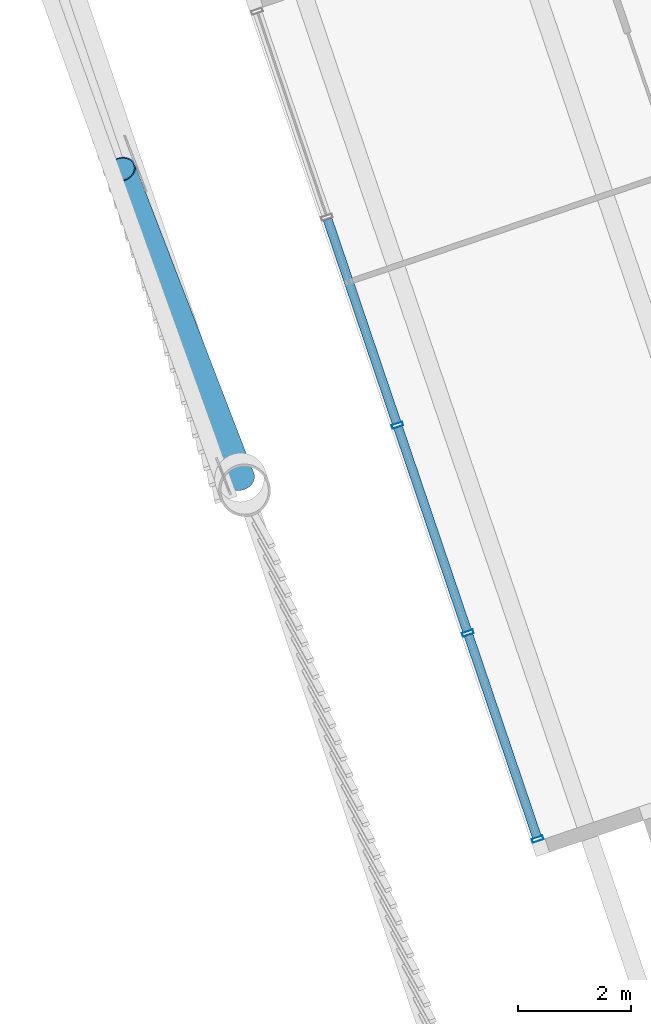
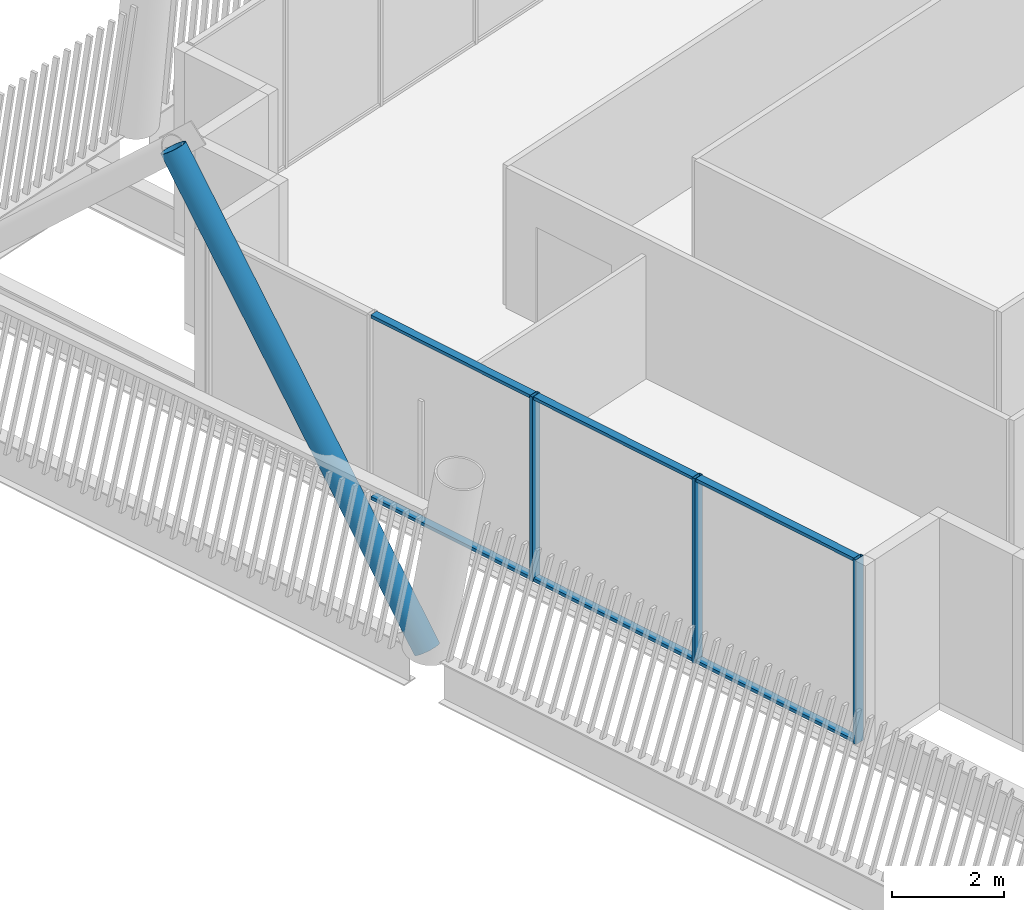
# One storey, part 2 of 35: 10 members, 1 element without a shape of its own.
"""IFC4 building model written with IfcOpenShell, lengths in metres."""

from ifc_helpers import new_model, si_unit, direction, frame, origin, origin_2d, place, context, subcontext, project, spatial, hollow_rectangle, hollow_circle, extrude, material, layer, layer_set, material_profile, profile_set, type_object, element, aggregate, save


model = new_model("IFC4")

# Units and contexts
model_context = context("Model", 3, precision=1e-05, world=origin(), true_north=direction((0.0, 1.0)))
body_context = subcontext(model_context, "Body", "Model", "MODEL_VIEW")
ifc_project = project(units=[si_unit("LENGTHUNIT", "METRE"), si_unit("AREAUNIT", "SQUARE_METRE"), si_unit("VOLUMEUNIT", "CUBIC_METRE"), si_unit("PLANEANGLEUNIT", "RADIAN"), si_unit("MASSUNIT", "GRAM", prefix="KILO")], contexts=[model_context])

# Site, building, storey
site_placement = place(None, origin())
site = spatial("IfcSite", under=ifc_project, at=site_placement, CompositionType="ELEMENT")
building_placement = place(site_placement, origin())
building = spatial("IfcBuilding", under=site, at=building_placement, Name="Tarsis Ring Headquarters", CompositionType="ELEMENT")
storey_placement = place(building_placement, frame((0.0, 0.0, 360.800048828125)))
storey = spatial("IfcBuildingStorey", under=building, at=storey_placement, Name="L85", CompositionType="ELEMENT", Elevation=360.800048828125)

# Curtain wall, members
ifc_material_1 = material(Name="Aluminium curtain wall", Category="aluminium")
ifc_layer = layer(ifc_material_1, 0.199951171875)
ifc_layer_set = layer_set([ifc_layer], Name="Curtain wall executive tip")
curtain_wall_type = type_object("IfcCurtainWallType", Name="Curtain wall executive tip", PredefinedType="NOTDEFINED", material=ifc_layer_set)
curtain_wall_placement = place(storey_placement, origin())
curtain_wall = element("IfcCurtainWall", 1, at=curtain_wall_placement, inside=storey, type_object=curtain_wall_type, Name="Curtain wall L85-36", PredefinedType="NOTDEFINED")
ifc_material_2 = material(Name="Aluminium mullion", Category="aluminium")
ifc_material_profile_1 = material_profile(ifc_material_2, hollow_rectangle(XDim=0.199951171875, YDim=0.070068359375, WallThickness=0.0048828125, at=origin_2d()), Name="RHS 200x70x5")
ifc_profile_set_1 = profile_set([ifc_material_profile_1], Name="Aluminium mullion")
member_type_1 = type_object("IfcMemberType", Name="Curtain wall mullion executive tip RHS 200x70x5", PredefinedType="MULLION", material=ifc_profile_set_1)
member_1_placement = place(storey_placement, frame((-37.765625, -12.797607421875, 0.0), z_axis=(0.0, 0.0, 1.0), x_axis=(0.94709829922, 0.32094362685, 0.0)))
member_1 = element("IfcMember", 2, at=member_1_placement, type_object=member_type_1, Name="CW-E mullion 3", PredefinedType="MULLION", context=body_context, shape_type="SweptSolid", body=[
    extrude(hollow_rectangle(XDim=0.199951171875, YDim=0.070068359375, WallThickness=0.0048828125, at=origin_2d()), origin(), (0.0, 0.0, 1.0), 4.0400390625),
])
member_2_placement = place(storey_placement, frame((-36.52197265625, -16.467529296875, 0.0), z_axis=(0.0, 0.0, 1.0), x_axis=(0.94709829922, 0.32094362685, 0.0)))
member_2 = element("IfcMember", 3, at=member_2_placement, type_object=member_type_1, Name="CW-E mullion 4", PredefinedType="MULLION", context=body_context, shape_type="SweptSolid", body=[
    extrude(hollow_rectangle(XDim=0.199951171875, YDim=0.070068359375, WallThickness=0.0048828125, at=origin_2d()), origin(), (0.0, 0.0, 1.0), 4.0400390625),
])
member_3_placement = place(storey_placement, frame((-35.28955078125, -20.1044921875, 0.0), z_axis=(0.0, 0.0, 1.0), x_axis=(0.94709829922, 0.32094362685, 0.0)))
member_3 = element("IfcMember", 4, at=member_3_placement, type_object=member_type_1, Name="CW-E mullion 5", PredefinedType="MULLION", context=body_context, shape_type="SweptSolid", body=[
    extrude(hollow_rectangle(XDim=0.199951171875, YDim=0.070068359375, WallThickness=0.0048828125, at=origin_2d()), origin(), (0.0, 0.0, 1.0), 4.0400390625),
])
ifc_material_3 = material(Name="Aluminium transom", Category="aluminium")
ifc_material_profile_2 = material_profile(ifc_material_3, hollow_rectangle(XDim=0.159912109375, YDim=0.070068359375, WallThickness=0.0048828125, at=origin_2d()), Name="RHS 160x70x5")
ifc_profile_set_2 = profile_set([ifc_material_profile_2], Name="Aluminium transom")
member_type_2 = type_object("IfcMemberType", Name="Curtain wall transom executive tip RHS 160x70x5", PredefinedType="USERDEFINED", material=ifc_profile_set_2)
member_4_placement = place(storey_placement, frame((-38.998046875, -9.160888671875, 0.034912109375), z_axis=(0.320959291341, -0.947092990842, 0.0), x_axis=(0.947092990842, 0.320959291341, 0.0)))
member_4 = element("IfcMember", 5, at=member_4_placement, type_object=member_type_2, Name="CW-E transom 2.1", ObjectType="TRANSOM", PredefinedType="USERDEFINED", context=body_context, shape_type="SweptSolid", body=[
    extrude(hollow_rectangle(XDim=0.159912109375, YDim=0.070068359375, WallThickness=0.0048828125, at=origin_2d()), origin(), (0.0, 0.0, 1.0), 3.804931640625),
])
member_5_placement = place(storey_placement, frame((-38.998046875, -9.160888671875, 4.0048828125), z_axis=(0.320959291341, -0.947092990842, 0.0), x_axis=(0.947092990842, 0.320959291341, 0.0)))
member_5 = element("IfcMember", 6, at=member_5_placement, type_object=member_type_2, Name="CW-E transom 2.2", ObjectType="TRANSOM", PredefinedType="USERDEFINED", context=body_context, shape_type="SweptSolid", body=[
    extrude(hollow_rectangle(XDim=0.159912109375, YDim=0.070068359375, WallThickness=0.0048828125, at=origin_2d()), origin(), (0.0, 0.0, 1.0), 3.804931640625),
])
member_6_placement = place(storey_placement, frame((-37.75439453125, -12.830810546875, 0.034912109375), z_axis=(0.320939787329, -0.947099600311, 0.0), x_axis=(0.947099600311, 0.320939787329, 0.0)))
member_6 = element("IfcMember", 7, at=member_6_placement, type_object=member_type_2, Name="CW-E transom 3.1", ObjectType="TRANSOM", PredefinedType="USERDEFINED", context=body_context, shape_type="SweptSolid", body=[
    extrude(hollow_rectangle(XDim=0.159912109375, YDim=0.070068359375, WallThickness=0.0048828125, at=origin_2d()), origin(), (0.0, 0.0, 1.0), 3.804931640625),
])
member_7_placement = place(storey_placement, frame((-37.75439453125, -12.830810546875, 4.0048828125), z_axis=(0.320939787329, -0.947099600311, 0.0), x_axis=(0.947099600311, 0.320939787329, 0.0)))
member_7 = element("IfcMember", 8, at=member_7_placement, type_object=member_type_2, Name="CW-E transom 3.2", ObjectType="TRANSOM", PredefinedType="USERDEFINED", context=body_context, shape_type="SweptSolid", body=[
    extrude(hollow_rectangle(XDim=0.159912109375, YDim=0.070068359375, WallThickness=0.0048828125, at=origin_2d()), origin(), (0.0, 0.0, 1.0), 3.804931640625),
])
member_8_placement = place(storey_placement, frame((-36.5107421875, -16.500732421875, 0.034912109375), z_axis=(0.320944769376, -0.94709791205, 0.0), x_axis=(0.94709791205, 0.320944769376, 0.0)))
member_8 = element("IfcMember", 9, at=member_8_placement, type_object=member_type_2, Name="CW-E transom 4.1", ObjectType="TRANSOM", PredefinedType="USERDEFINED", context=body_context, shape_type="SweptSolid", body=[
    extrude(hollow_rectangle(XDim=0.159912109375, YDim=0.070068359375, WallThickness=0.0048828125, at=origin_2d()), origin(), (0.0, 0.0, 1.0), 3.77001953125),
])
member_9_placement = place(storey_placement, frame((-36.5107421875, -16.500732421875, 4.0048828125), z_axis=(0.320944769376, -0.94709791205, 0.0), x_axis=(0.94709791205, 0.320944769376, 0.0)))
member_9 = element("IfcMember", 10, at=member_9_placement, type_object=member_type_2, Name="CW-E transom 4.2", ObjectType="TRANSOM", PredefinedType="USERDEFINED", context=body_context, shape_type="SweptSolid", body=[
    extrude(hollow_rectangle(XDim=0.159912109375, YDim=0.070068359375, WallThickness=0.0048828125, at=origin_2d()), origin(), (0.0, 0.0, 1.0), 3.77001953125),
])
aggregate(curtain_wall, [member_1, member_2, member_3, member_4, member_5, member_6, member_7, member_8, member_9])

# Member
ifc_material_4 = material(Name="Structural steel S355", Category="steel")
ifc_material_profile_3 = material_profile(ifc_material_4, hollow_circle(Radius=0.25390625, WallThickness=0.02001953125, at=origin_2d()), Name="CHS 508x20")
ifc_profile_set_3 = profile_set([ifc_material_profile_3], Name="Structural steel S355")
member_type_3 = type_object("IfcMemberType", Name="XD X brace CHS 508x20", PredefinedType="BRACE", material=ifc_profile_set_3)
member_10_placement = place(storey_placement, frame((-40.535888671875, -13.736328125, 0.0), z_axis=(-0.205439124428, 0.533063478225, 0.820754588374), x_axis=(-0.933102168143, -0.359611378862, 0.0)))
element("IfcMember", 11, at=member_10_placement, inside=storey, type_object=member_type_3, Name="X brace XD2", PredefinedType="BRACE", context=body_context, shape_type="SweptSolid", body=[
    extrude(hollow_circle(Radius=0.25390625, WallThickness=0.02001953125, at=origin_2d()), origin(), (0.0, 0.0, 1.0), 10.234375),
])

save(model, "model.ifc")
